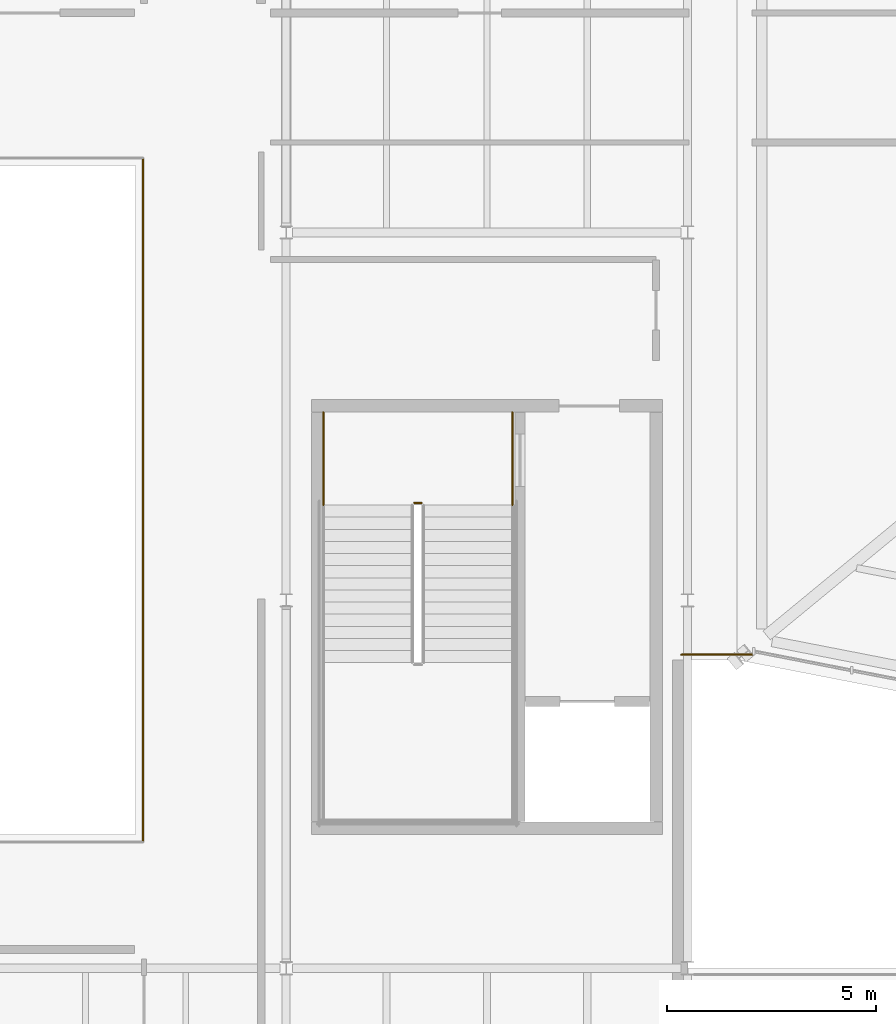
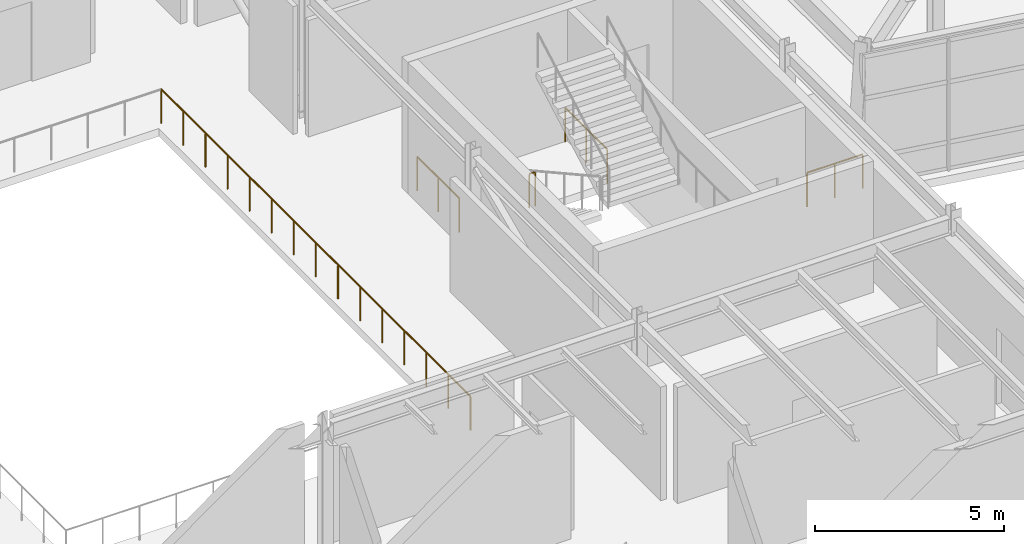
# One storey, part 63 of 69: 5 railings.
"""IFC4 building model written with IfcOpenShell, lengths in metres."""

from ifc_helpers import new_model, si_unit, direction, frame, origin, origin_2d, place, context, subcontext, project, spatial, circle, extrude, material, layer, layer_set, type_object, element, save


model = new_model("IFC4")

# Units and contexts
model_context = context("Model", 3, precision=1e-05, world=origin(), true_north=direction((0.0, 1.0)))
body_context = subcontext(model_context, "Body", "Model", "MODEL_VIEW")
ifc_project = project(units=[si_unit("LENGTHUNIT", "METRE"), si_unit("AREAUNIT", "SQUARE_METRE"), si_unit("VOLUMEUNIT", "CUBIC_METRE"), si_unit("PLANEANGLEUNIT", "RADIAN"), si_unit("MASSUNIT", "GRAM", prefix="KILO")], contexts=[model_context])

# Site, building, storey
site_placement = place(None, origin())
site = spatial("IfcSite", under=ifc_project, at=site_placement, CompositionType="ELEMENT")
building_placement = place(site_placement, origin())
building = spatial("IfcBuilding", under=site, at=building_placement, Name="Sarnbrook Museum", CompositionType="ELEMENT")
storey_placement = place(building_placement, frame((0.0, 0.0, 14.60009765625)))
storey = spatial("IfcBuildingStorey", under=building, at=storey_placement, Name="L03", CompositionType="ELEMENT", Elevation=14.60009765625)

# Railings
ifc_material = material(Name="Brushed Stainless Steel Grade 316", Category="steel")
ifc_layer = layer(ifc_material, 0.050048828125)
ifc_layer_set = layer_set([ifc_layer], Name="Brushed Stainless Steel Grade 316")
railing_type = type_object("IfcRailingType", Name="Guard_Int1120", PredefinedType="BALUSTRADE", material=ifc_layer_set)
railing_1_placement = place(storey_placement, frame((112.659912109375, 67.929931640625, 0.0)))
element("IfcRailing", 1, at=railing_1_placement, inside=storey, type_object=railing_type, Name="L03 ST1 stair guard 7", PredefinedType="BALUSTRADE", context=body_context, shape_type="SweptSolid", body=[
    extrude(circle(Radius=0.02392578125, at=origin_2d()), frame((0.0, 0.0, 1.09619140625), z_axis=(1.0, 0.0, 0.0), x_axis=(0.0, 1.0, 0.0)), (0.0, 0.0, 1.0), 0.18017578125),
    extrude(circle(Radius=0.02099609375, at=origin_2d()), origin(), (0.0, 0.0, 1.0), 1.072021484375),
    extrude(circle(Radius=0.02099609375, at=origin_2d()), frame((0.18017578125, 0.0, 0.0)), (0.0, 0.0, 1.0), 1.072021484375),
])
for number, where, name in (
    (2, (110.489990234375, 70.10009765625, 0.0), "L03 ST1 stair guard 8"),
    (3, (115.010009765625, 70.10009765625, 0.0), "L03 ST1 stair guard 9"),
):
    element("IfcRailing", number, at=place(storey_placement, frame(where)), inside=storey, type_object=railing_type, Name=name, PredefinedType="BALUSTRADE", context=body_context, shape_type="SweptSolid", body=[
        extrude(circle(Radius=0.02392578125, at=origin_2d()), frame((0.0, 0.0, 1.09619140625), z_axis=(0.0, -1.0, 0.0), x_axis=(1.0, 0.0, 0.0)), (0.0, 0.0, 1.0), 2.22021484375),
        extrude(circle(Radius=0.02099609375, at=origin_2d()), origin(), (0.0, 0.0, 1.0), 1.072021484375),
        extrude(circle(Radius=0.02099609375, at=origin_2d()), frame((0.0, -1.110107421875, 0.0)), (0.0, 0.0, 1.0), 1.072021484375),
        extrude(circle(Radius=0.02099609375, at=origin_2d()), frame((0.0, -2.22021484375, 0.0)), (0.0, 0.0, 1.0), 1.072021484375),
    ])
railing_2_placement = place(storey_placement, frame((106.179931640625, 59.820068359375, 0.0)))
element("IfcRailing", 4, at=railing_2_placement, inside=storey, type_object=railing_type, Name="Atrium Gallery Balustrade L03-2", PredefinedType="BALUSTRADE", context=body_context, shape_type="SweptSolid", body=[
    extrude(circle(Radius=0.02392578125, at=origin_2d()), frame((0.0, 0.0, 1.09619140625), z_axis=(0.0, 1.0, 0.0), x_axis=(-1.0, 0.0, 0.0)), (0.0, 0.0, 1.0), 16.35986328125),
    extrude(circle(Radius=0.02099609375, at=origin_2d()), origin(), (0.0, 0.0, 1.0), 1.072021484375),
    extrude(circle(Radius=0.02099609375, at=origin_2d()), frame((0.0, 1.16845703125, 0.0)), (0.0, 0.0, 1.0), 1.072021484375),
    extrude(circle(Radius=0.02099609375, at=origin_2d()), frame((0.0, 2.337158203125, 0.0)), (0.0, 0.0, 1.0), 1.072021484375),
    extrude(circle(Radius=0.02099609375, at=origin_2d()), frame((0.0, 3.505615234375, 0.0)), (0.0, 0.0, 1.0), 1.072021484375),
    extrude(circle(Radius=0.02099609375, at=origin_2d()), frame((0.0, 4.67431640625, 0.0)), (0.0, 0.0, 1.0), 1.072021484375),
    extrude(circle(Radius=0.02099609375, at=origin_2d()), frame((0.0, 5.8427734375, 0.0)), (0.0, 0.0, 1.0), 1.072021484375),
    extrude(circle(Radius=0.02099609375, at=origin_2d()), frame((0.0, 7.011474609375, 0.0)), (0.0, 0.0, 1.0), 1.072021484375),
    extrude(circle(Radius=0.02099609375, at=origin_2d()), frame((0.0, 8.179931640625, 0.0)), (0.0, 0.0, 1.0), 1.072021484375),
    extrude(circle(Radius=0.02099609375, at=origin_2d()), frame((0.0, 9.348388671875, 0.0)), (0.0, 0.0, 1.0), 1.072021484375),
    extrude(circle(Radius=0.02099609375, at=origin_2d()), frame((0.0, 10.51708984375, 0.0)), (0.0, 0.0, 1.0), 1.072021484375),
    extrude(circle(Radius=0.02099609375, at=origin_2d()), frame((0.0, 11.685546875, 0.0)), (0.0, 0.0, 1.0), 1.072021484375),
    extrude(circle(Radius=0.02099609375, at=origin_2d()), frame((0.0, 12.854248046875, 0.0)), (0.0, 0.0, 1.0), 1.072021484375),
    extrude(circle(Radius=0.02099609375, at=origin_2d()), frame((0.0, 14.022705078125, 0.0)), (0.0, 0.0, 1.0), 1.072021484375),
    extrude(circle(Radius=0.02099609375, at=origin_2d()), frame((0.0, 15.19140625, 0.0)), (0.0, 0.0, 1.0), 1.072021484375),
    extrude(circle(Radius=0.02099609375, at=origin_2d()), frame((0.0, 16.35986328125, 0.0)), (0.0, 0.0, 1.0), 1.072021484375),
])
railing_3_placement = place(storey_placement, frame((119.050048828125, 64.300048828125, 0.0)))
element("IfcRailing", 5, at=railing_3_placement, inside=storey, type_object=railing_type, Name="Concourse Gallery Edge Balustrade L03-1", PredefinedType="BALUSTRADE", context=body_context, shape_type="SweptSolid", body=[
    extrude(circle(Radius=0.02392578125, at=origin_2d()), frame((0.0, 0.0, 1.09619140625), z_axis=(1.0, 0.0, 0.0), x_axis=(0.0, 1.0, 0.0)), (0.0, 0.0, 1.0), 1.699951171875),
    extrude(circle(Radius=0.02099609375, at=origin_2d()), origin(), (0.0, 0.0, 1.0), 1.072021484375),
    extrude(circle(Radius=0.02099609375, at=origin_2d()), frame((0.85009765625, 0.0, 0.0)), (0.0, 0.0, 1.0), 1.072021484375),
    extrude(circle(Radius=0.02099609375, at=origin_2d()), frame((1.699951171875, 0.0, 0.0)), (0.0, 0.0, 1.0), 1.072021484375),
])

save(model, "model.ifc")
